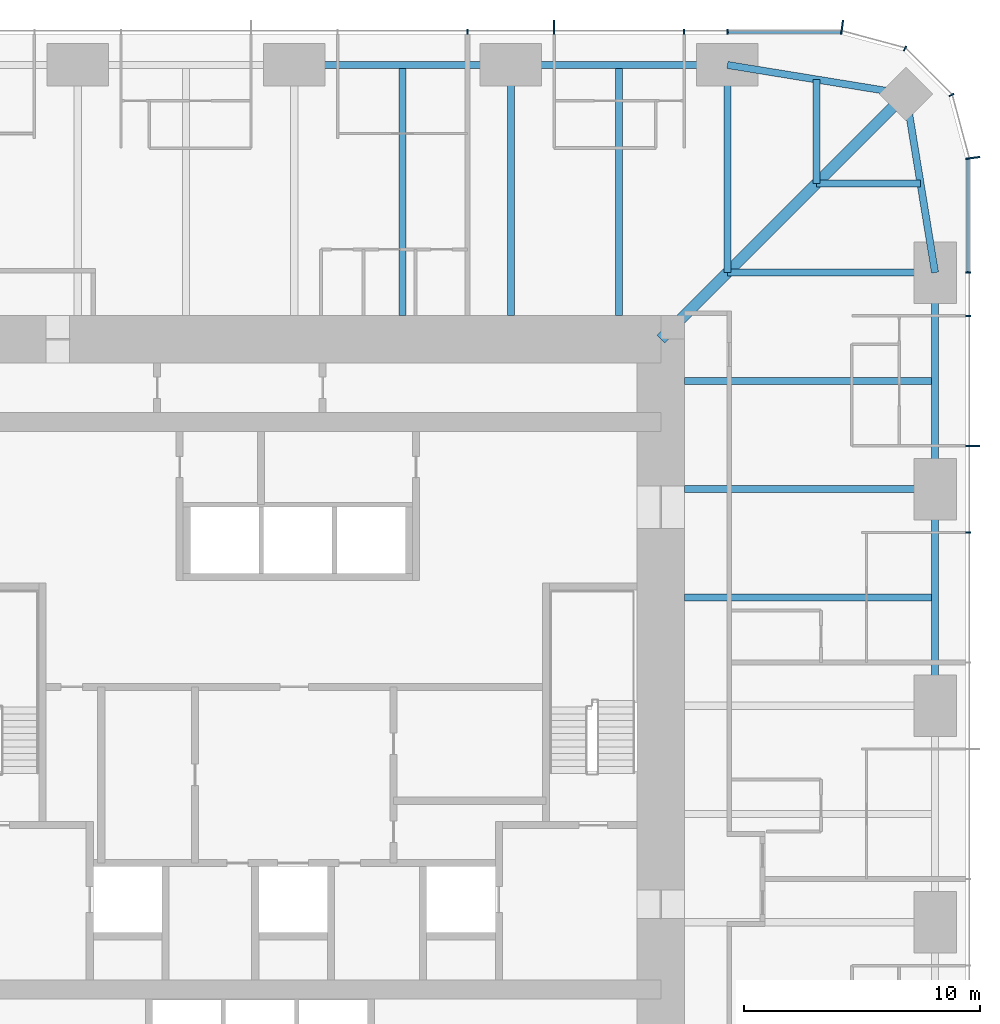
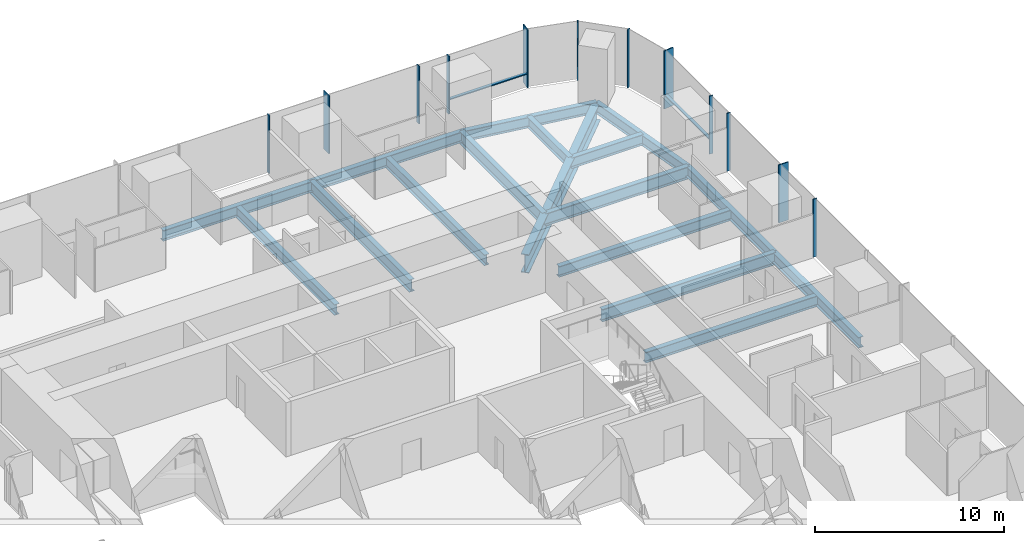
# One storey, part 6 of 13: 17 beams, 14 members, 3 elements without a shape of their own.
"""IFC4 building model written with IfcOpenShell, lengths in metres."""

from ifc_helpers import new_model, si_unit, direction, frame, origin, origin_2d, place, context, subcontext, project, spatial, rectangle, i_section, extrude, material, material_profile, profile_set, type_object, element, aggregate, save


model = new_model("IFC4")

# Units and contexts
model_context = context("Model", 3, precision=1e-05, world=origin(), true_north=direction((0.0, 1.0)))
body_context = subcontext(model_context, "Body", "Model", "MODEL_VIEW")
ifc_project = project(units=[si_unit("LENGTHUNIT", "METRE"), si_unit("AREAUNIT", "SQUARE_METRE"), si_unit("VOLUMEUNIT", "CUBIC_METRE"), si_unit("PLANEANGLEUNIT", "RADIAN"), si_unit("MASSUNIT", "GRAM", prefix="KILO")], contexts=[model_context])

# Site, building, storey
site_placement = place(None, origin())
site = spatial("IfcSite", under=ifc_project, at=site_placement, CompositionType="ELEMENT")
building_placement = place(site_placement, origin())
building = spatial("IfcBuilding", under=site, at=building_placement, Name="Khuree Lantern Residences", CompositionType="ELEMENT")
storey_placement = place(building_placement, frame((0.0, 0.0, 159.75)))
storey = spatial("IfcBuildingStorey", under=building, at=storey_placement, Name="L40", CompositionType="ELEMENT", Elevation=159.75)

# Beams
ifc_material_1 = material(Name="Steel S355", Category="steel")
ifc_material_profile_1 = material_profile(ifc_material_1, i_section(OverallWidth=0.300048828125, OverallDepth=0.68994140625, WebThickness=0.014404296875, FlangeThickness=0.027099609375, FilletRadius=0.027099609375, at=origin_2d()), Name="HE 700 A")
ifc_profile_set_1 = profile_set([ifc_material_profile_1], Name="Steel S355")
beam_type_1 = type_object("IfcBeamType", Name="B-24 SECONDARY BEAM HE 700 A", PredefinedType="BEAM", material=ifc_profile_set_1)
for number, where, z_axis, x_axis, name in (
    (1, (4.580078125, 27.10009765625, -0.594970703125), (0.0, -1.0, 0.0), (1.0, 0.0, 0.0), "Secondary beam N3"),
    (2, (13.739990234375, 27.10009765625, -0.594970703125), (0.0, -1.0, 0.0), (1.0, 0.0, 0.0), "Secondary beam N4"),
):
    element("IfcBeam", number, at=place(storey_placement, frame(where, z_axis=z_axis, x_axis=x_axis)), inside=storey, type_object=beam_type_1, Name=name, PredefinedType="BEAM", context=body_context, shape_type="SweptSolid", body=[
        extrude(i_section(OverallWidth=0.300048828125, OverallDepth=0.68994140625, WebThickness=0.014404296875, FlangeThickness=0.027099609375, FilletRadius=0.027099609375, at=origin_2d()), origin(), (0.0, 0.0, 1.0), 10.60009765625),
    ])
for number, where, z_axis, x_axis, name in (
    (3, (22.094970703125, 26.48486328125, -0.594970703125), (0.0, -1.0, 0.0), (1.0, 0.0, 0.0), "Secondary beam N5"),
    (4, (26.48486328125, 22.094970703125, -0.594970703125), (-1.0, 0.0, 0.0), (0.0, -1.0, 0.0), "Secondary beam E1"),
):
    element("IfcBeam", number, at=place(storey_placement, frame(where, z_axis=z_axis, x_axis=x_axis)), inside=storey, type_object=beam_type_1, Name=name, PredefinedType="BEAM", context=body_context, shape_type="SweptSolid", body=[
        extrude(i_section(OverallWidth=0.300048828125, OverallDepth=0.68994140625, WebThickness=0.014404296875, FlangeThickness=0.027099609375, FilletRadius=0.027099609375, at=origin_2d()), origin(), (0.0, 0.0, 1.0), 4.389892578125),
    ])
for number, where, z_axis, x_axis, name in (
    (5, (27.10009765625, 13.739990234375, -0.594970703125), (-1.0, 0.0, 0.0), (0.0, -1.0, 0.0), "Secondary beam E2"),
    (6, (27.10009765625, 4.580078125, -0.594970703125), (-1.0, 0.0, 0.0), (0.0, -1.0, 0.0), "Secondary beam E3"),
):
    element("IfcBeam", number, at=place(storey_placement, frame(where, z_axis=z_axis, x_axis=x_axis)), inside=storey, type_object=beam_type_1, Name=name, PredefinedType="BEAM", context=body_context, shape_type="SweptSolid", body=[
        extrude(i_section(OverallWidth=0.300048828125, OverallDepth=0.68994140625, WebThickness=0.014404296875, FlangeThickness=0.027099609375, FilletRadius=0.027099609375, at=origin_2d()), origin(), (0.0, 0.0, 1.0), 10.60009765625),
    ])
ifc_material_profile_2 = material_profile(ifc_material_1, i_section(OverallWidth=0.300048828125, OverallDepth=0.68994140625, WebThickness=0.014404296875, FlangeThickness=0.027099609375, FilletRadius=0.027099609375, at=origin_2d()), Name="HE 700 A")
ifc_profile_set_2 = profile_set([ifc_material_profile_2], Name="Steel S355")
beam_type_2 = type_object("IfcBeamType", Name="E-24 SPANDREL BEAM HE 700 A", PredefinedType="SPANDREL", material=ifc_profile_set_2)
beam_1_placement = place(storey_placement, frame((0.0, 27.10009765625, -0.594970703125), z_axis=(1.0, 0.0, 0.0), x_axis=(0.0, 1.0, 0.0)))
element("IfcBeam", 7, at=beam_1_placement, inside=storey, type_object=beam_type_2, Name="Spandrel beam N3", PredefinedType="SPANDREL", context=body_context, shape_type="SweptSolid", body=[
    extrude(i_section(OverallWidth=0.300048828125, OverallDepth=0.68994140625, WebThickness=0.014404296875, FlangeThickness=0.027099609375, FilletRadius=0.027099609375, at=origin_2d()), origin(), (0.0, 0.0, 1.0), 9.159912109375),
])
beam_2_placement = place(storey_placement, frame((9.159912109375, 27.10009765625, -0.594970703125), z_axis=(1.0, 0.0, 0.0), x_axis=(0.0, 1.0, 0.0)))
element("IfcBeam", 8, at=beam_2_placement, inside=storey, type_object=beam_type_2, Name="Spandrel beam N4", PredefinedType="SPANDREL", context=body_context, shape_type="SweptSolid", body=[
    extrude(i_section(OverallWidth=0.300048828125, OverallDepth=0.68994140625, WebThickness=0.014404296875, FlangeThickness=0.027099609375, FilletRadius=0.027099609375, at=origin_2d()), origin(), (0.0, 0.0, 1.0), 9.16015625),
])
for number, where, z_axis, x_axis, name in (
    (9, (18.320068359375, 27.10009765625, -0.594970703125), (0.986982656839, -0.160826723833, 0.0), (0.160826723833, 0.986982656839, 0.0), "Spandrel beam N5"),
    (10, (25.869873046875, 25.869873046875, -0.594970703125), (0.160826723833, -0.986982656839, 0.0), (0.986982656839, 0.160826723833, 0.0), "Spandrel beam E1"),
):
    element("IfcBeam", number, at=place(storey_placement, frame(where, z_axis=z_axis, x_axis=x_axis)), inside=storey, type_object=beam_type_2, Name=name, PredefinedType="SPANDREL", context=body_context, shape_type="SweptSolid", body=[
        extrude(i_section(OverallWidth=0.300048828125, OverallDepth=0.68994140625, WebThickness=0.014404296875, FlangeThickness=0.027099609375, FilletRadius=0.027099609375, at=origin_2d()), origin(), (0.0, 0.0, 1.0), 7.6494140625),
    ])
beam_3_placement = place(storey_placement, frame((27.10009765625, 18.320068359375, -0.594970703125), z_axis=(0.0, -1.0, 0.0), x_axis=(1.0, 0.0, 0.0)))
element("IfcBeam", 11, at=beam_3_placement, inside=storey, type_object=beam_type_2, Name="Spandrel beam E2", PredefinedType="SPANDREL", context=body_context, shape_type="SweptSolid", body=[
    extrude(i_section(OverallWidth=0.300048828125, OverallDepth=0.68994140625, WebThickness=0.014404296875, FlangeThickness=0.027099609375, FilletRadius=0.027099609375, at=origin_2d()), origin(), (0.0, 0.0, 1.0), 9.16015625),
])
beam_4_placement = place(storey_placement, frame((27.10009765625, 9.159912109375, -0.594970703125), z_axis=(0.0, -1.0, 0.0), x_axis=(1.0, 0.0, 0.0)))
element("IfcBeam", 12, at=beam_4_placement, inside=storey, type_object=beam_type_2, Name="Spandrel beam E3", PredefinedType="SPANDREL", context=body_context, shape_type="SweptSolid", body=[
    extrude(i_section(OverallWidth=0.300048828125, OverallDepth=0.68994140625, WebThickness=0.014404296875, FlangeThickness=0.027099609375, FilletRadius=0.027099609375, at=origin_2d()), origin(), (0.0, 0.0, 1.0), 9.159912109375),
])

# Curtain wall, member
ifc_material_2 = material(Name="Bronze anodised aluminium", Category="aluminium")
curtain_wall_type_1 = type_object("IfcCurtainWallType", Name="CW-T1 TOWER FACE CURTAIN WALL", PredefinedType="USERDEFINED", material=ifc_material_2)
curtain_wall_1_placement = place(storey_placement, origin())
curtain_wall_1 = element("IfcCurtainWall", 13, at=curtain_wall_1_placement, inside=storey, type_object=curtain_wall_type_1, Name="L40 EAST FACE CURTAIN WALL", ObjectType="Stick-built curtain wall", PredefinedType="USERDEFINED")
ifc_material_profile_3 = material_profile(ifc_material_2, rectangle(XDim=0.06494140625, YDim=0.60009765625, at=origin_2d()), Name="F1 65X600")
ifc_profile_set_3 = profile_set([ifc_material_profile_3], Name="Bronze anodised aluminium")
member_type_1 = type_object("IfcMemberType", Name="F1 BRONZE FIN MULLION TOWER 65X600", PredefinedType="MULLION", material=ifc_profile_set_3)
member_1_placement = place(storey_placement, frame((28.699951171875, 10.991943359375, 0.0), z_axis=(0.0, 0.0, 1.0), x_axis=(0.0, 1.0, 0.0)))
member_1 = element("IfcMember", 14, at=member_1_placement, type_object=member_type_1, Name="L40 EAST FACE FIN MULLION 12", PredefinedType="MULLION", context=body_context, shape_type="SweptSolid", body=[
    extrude(rectangle(XDim=0.06494140625, YDim=0.60009765625, at=origin_2d()), origin(), (0.0, 0.0, 1.0), 3.75),
])

curtain_wall_type_2 = type_object("IfcCurtainWallType", Name="CW-T2 TOWER CORNER CURTAIN WALL", PredefinedType="USERDEFINED", material=ifc_material_2)
curtain_wall_2_placement = place(storey_placement, origin())
curtain_wall_2 = element("IfcCurtainWall", 15, at=curtain_wall_2_placement, inside=storey, type_object=curtain_wall_type_2, Name="L40 NORTH-EAST CORNER CURTAIN WALL", ObjectType="Faceted corner curtain wall", PredefinedType="USERDEFINED")
member_2_placement = place(storey_placement, frame((28.7001953125, 23.169677734375, 0.0), z_axis=(0.0, 0.0, 1.0), x_axis=(-0.130526223125, 0.991444857305, 0.0)))
member_2 = element("IfcMember", 16, at=member_2_placement, type_object=member_type_1, Name="L40 NORTH-EAST CORNER FIN MULLION 15", PredefinedType="MULLION", context=body_context, shape_type="SweptSolid", body=[
    extrude(rectangle(XDim=0.06494140625, YDim=0.60009765625, at=origin_2d()), origin(), (0.0, 0.0, 1.0), 3.75),
])

# Curtain wall, members
curtain_wall_3_placement = place(storey_placement, origin())
curtain_wall_3 = element("IfcCurtainWall", 17, at=curtain_wall_3_placement, inside=storey, type_object=curtain_wall_type_1, Name="L40 NORTH FACE CURTAIN WALL", ObjectType="Stick-built curtain wall", PredefinedType="USERDEFINED")
member_3_placement = place(storey_placement, frame((23.169677734375, 28.7001953125, 0.0), z_axis=(0.0, 0.0, 1.0), x_axis=(-0.991444857305, 0.130526223125, 0.0)))
member_3 = element("IfcMember", 18, at=member_3_placement, type_object=member_type_1, Name="L40 NORTH FACE FIN MULLION 18", PredefinedType="MULLION", context=body_context, shape_type="SweptSolid", body=[
    extrude(rectangle(XDim=0.06494140625, YDim=0.60009765625, at=origin_2d()), origin(), (0.0, 0.0, 1.0), 3.75),
])
member_4_placement = place(storey_placement, frame((10.991943359375, 28.699951171875, 0.0), z_axis=(0.0, 0.0, 1.0), x_axis=(-1.0, 0.0, 0.0)))
member_4 = element("IfcMember", 19, at=member_4_placement, type_object=member_type_1, Name="L40 NORTH FACE FIN MULLION 21", PredefinedType="MULLION", context=body_context, shape_type="SweptSolid", body=[
    extrude(rectangle(XDim=0.06494140625, YDim=0.60009765625, at=origin_2d()), origin(), (0.0, 0.0, 1.0), 3.75),
])

# Beams
ifc_material_profile_4 = material_profile(ifc_material_1, i_section(OverallWidth=0.300048828125, OverallDepth=0.800048828125, WebThickness=0.017578125, FlangeThickness=0.032958984375, FilletRadius=0.030029296875, at=origin_2d()), Name="HE 800 B")
ifc_profile_set_4 = profile_set([ifc_material_profile_4], Name="Steel S355")
beam_type_3 = type_object("IfcBeamType", Name="G-24 GIRDER HE 800 B", PredefinedType="BEAM", material=ifc_profile_set_4)
beam_5_placement = place(storey_placement, frame((9.159912109375, 27.10009765625, -0.64990234375), z_axis=(0.0, -1.0, 0.0), x_axis=(1.0, 0.0, 0.0)))
element("IfcBeam", 20, at=beam_5_placement, inside=storey, type_object=beam_type_3, Name="Girder N4", PredefinedType="BEAM", context=body_context, shape_type="SweptSolid", body=[
    extrude(i_section(OverallWidth=0.300048828125, OverallDepth=0.800048828125, WebThickness=0.017578125, FlangeThickness=0.032958984375, FilletRadius=0.030029296875, at=origin_2d()), origin(), (0.0, 0.0, 1.0), 10.60009765625),
])
for number, where, z_axis, x_axis, name in (
    (21, (18.320068359375, 27.10009765625, -0.64990234375), (0.0, -1.0, 0.0), (1.0, 0.0, 0.0), "Girder N5"),
    (22, (27.10009765625, 18.320068359375, -0.64990234375), (-1.0, 0.0, 0.0), (0.0, -1.0, 0.0), "Girder E1"),
):
    element("IfcBeam", number, at=place(storey_placement, frame(where, z_axis=z_axis, x_axis=x_axis)), inside=storey, type_object=beam_type_3, Name=name, PredefinedType="BEAM", context=body_context, shape_type="SweptSolid", body=[
        extrude(i_section(OverallWidth=0.300048828125, OverallDepth=0.800048828125, WebThickness=0.017578125, FlangeThickness=0.032958984375, FilletRadius=0.030029296875, at=origin_2d()), origin(), (0.0, 0.0, 1.0), 8.780029296875),
    ])
beam_6_placement = place(storey_placement, frame((27.10009765625, 9.159912109375, -0.64990234375), z_axis=(-1.0, 0.0, 0.0), x_axis=(0.0, -1.0, 0.0)))
element("IfcBeam", 23, at=beam_6_placement, inside=storey, type_object=beam_type_3, Name="Girder E2", PredefinedType="BEAM", context=body_context, shape_type="SweptSolid", body=[
    extrude(i_section(OverallWidth=0.300048828125, OverallDepth=0.800048828125, WebThickness=0.017578125, FlangeThickness=0.032958984375, FilletRadius=0.030029296875, at=origin_2d()), origin(), (0.0, 0.0, 1.0), 10.60009765625),
])
ifc_material_profile_5 = material_profile(ifc_material_1, i_section(OverallWidth=0.449951171875, OverallDepth=1.199951171875, WebThickness=0.02490234375, FlangeThickness=0.044921875, at=origin_2d()), Name="WELDED I 1200X450X25X45")
ifc_profile_set_5 = profile_set([ifc_material_profile_5], Name="Steel S355")
beam_type_4 = type_object("IfcBeamType", Name="GD-24 CORNER GIRDER WELDED I 1200X450X25X45", PredefinedType="BEAM", material=ifc_profile_set_5)
beam_7_placement = place(storey_placement, frame((25.869873046875, 25.869873046875, -0.85009765625), z_axis=(-0.707106781187, -0.707106781187, 0.0), x_axis=(0.707106781187, -0.707106781187, 0.0)))
element("IfcBeam", 24, at=beam_7_placement, inside=storey, type_object=beam_type_4, Name="Corner girder NE", PredefinedType="BEAM", context=body_context, shape_type="SweptSolid", body=[
    extrude(i_section(OverallWidth=0.449951171875, OverallDepth=1.199951171875, WebThickness=0.02490234375, FlangeThickness=0.044921875, at=origin_2d()), origin(), (0.0, 0.0, 1.0), 14.665283203125),
])

# Member
ifc_material_profile_6 = material_profile(ifc_material_2, rectangle(XDim=0.06494140625, YDim=0.219970703125, at=origin_2d()), Name="M1 65X220")
ifc_profile_set_6 = profile_set([ifc_material_profile_6], Name="Bronze anodised aluminium")
member_type_2 = type_object("IfcMemberType", Name="M1 BRONZE MULLION TOWER 65X220", PredefinedType="MULLION", material=ifc_profile_set_6)
member_5_placement = place(storey_placement, frame((28.510009765625, 7.327880859375, 0.0), z_axis=(0.0, 0.0, 1.0), x_axis=(0.0, 1.0, 0.0)))
member_5 = element("IfcMember", 25, at=member_5_placement, type_object=member_type_2, Name="L40 EAST FACE MULLION 11", PredefinedType="MULLION", context=body_context, shape_type="SweptSolid", body=[
    extrude(rectangle(XDim=0.06494140625, YDim=0.219970703125, at=origin_2d()), origin(), (0.0, 0.0, 1.0), 3.75),
])

member_6_placement = place(storey_placement, frame((28.510009765625, 16.488037109375, 0.0), z_axis=(0.0, 0.0, 1.0), x_axis=(0.0, 1.0, 0.0)))
member_6 = element("IfcMember", 26, at=member_6_placement, type_object=member_type_2, Name="L40 EAST FACE MULLION 13", PredefinedType="MULLION", context=body_context, shape_type="SweptSolid", body=[
    extrude(rectangle(XDim=0.06494140625, YDim=0.219970703125, at=origin_2d()), origin(), (0.0, 0.0, 1.0), 3.75),
])

member_7_placement = place(storey_placement, frame((28.510009765625, 18.320068359375, 0.0), z_axis=(0.0, 0.0, 1.0), x_axis=(0.0, 1.0, 0.0)))
member_7 = element("IfcMember", 27, at=member_7_placement, type_object=member_type_2, Name="L40 EAST FACE MULLION 14", PredefinedType="MULLION", context=body_context, shape_type="SweptSolid", body=[
    extrude(rectangle(XDim=0.06494140625, YDim=0.219970703125, at=origin_2d()), origin(), (0.0, 0.0, 1.0), 3.75),
])

member_8_placement = place(storey_placement, frame((27.7919921875, 25.830078125, 0.0), z_axis=(0.0, 0.0, 1.0), x_axis=(-0.500000026995, 0.866025388199, 0.0)))
member_8 = element("IfcMember", 28, at=member_8_placement, type_object=member_type_2, Name="L40 NORTH-EAST CORNER MULLION 16", PredefinedType="MULLION", context=body_context, shape_type="SweptSolid", body=[
    extrude(rectangle(XDim=0.06494140625, YDim=0.219970703125, at=origin_2d()), origin(), (0.0, 0.0, 1.0), 3.75),
])

member_9_placement = place(storey_placement, frame((25.830078125, 27.7919921875, 0.0), z_axis=(0.0, 0.0, 1.0), x_axis=(-0.866025388199, 0.500000026995, 0.0)))
member_9 = element("IfcMember", 29, at=member_9_placement, type_object=member_type_2, Name="L40 NORTH-EAST CORNER MULLION 17", PredefinedType="MULLION", context=body_context, shape_type="SweptSolid", body=[
    extrude(rectangle(XDim=0.06494140625, YDim=0.219970703125, at=origin_2d()), origin(), (0.0, 0.0, 1.0), 3.75),
])

aggregate(curtain_wall_2, [member_2, member_8, member_9])

member_10_placement = place(storey_placement, frame((18.320068359375, 28.510009765625, 0.0), z_axis=(0.0, 0.0, 1.0), x_axis=(-1.0, 0.0, 0.0)))
member_10 = element("IfcMember", 30, at=member_10_placement, type_object=member_type_2, Name="L40 NORTH FACE MULLION 19", PredefinedType="MULLION", context=body_context, shape_type="SweptSolid", body=[
    extrude(rectangle(XDim=0.06494140625, YDim=0.219970703125, at=origin_2d()), origin(), (0.0, 0.0, 1.0), 3.75),
])

member_11_placement = place(storey_placement, frame((16.488037109375, 28.510009765625, 0.0), z_axis=(0.0, 0.0, 1.0), x_axis=(-1.0, 0.0, 0.0)))
member_11 = element("IfcMember", 31, at=member_11_placement, type_object=member_type_2, Name="L40 NORTH FACE MULLION 20", PredefinedType="MULLION", context=body_context, shape_type="SweptSolid", body=[
    extrude(rectangle(XDim=0.06494140625, YDim=0.219970703125, at=origin_2d()), origin(), (0.0, 0.0, 1.0), 3.75),
])

member_12_placement = place(storey_placement, frame((7.327880859375, 28.510009765625, 0.0), z_axis=(0.0, 0.0, 1.0), x_axis=(-1.0, 0.0, 0.0)))
member_12 = element("IfcMember", 32, at=member_12_placement, type_object=member_type_2, Name="L40 NORTH FACE MULLION 22", PredefinedType="MULLION", context=body_context, shape_type="SweptSolid", body=[
    extrude(rectangle(XDim=0.06494140625, YDim=0.219970703125, at=origin_2d()), origin(), (0.0, 0.0, 1.0), 3.75),
])

ifc_material_profile_7 = material_profile(ifc_material_2, rectangle(XDim=0.179931640625, YDim=0.06494140625, at=origin_2d()), Name="T1 180X65")
ifc_profile_set_7 = profile_set([ifc_material_profile_7], Name="Bronze anodised aluminium")
member_type_3 = type_object("IfcMemberType", Name="TRANSOM T1 TOWER 180X65", PredefinedType="USERDEFINED", material=ifc_profile_set_7)
member_13_placement = place(storey_placement, frame((28.52001953125, 18.3525390625, 0.89990234375), z_axis=(0.0, 1.0, 0.0), x_axis=(-1.0, 0.0, 0.0)))
member_13 = element("IfcMember", 33, at=member_13_placement, type_object=member_type_3, Name="L40 EAST FACE TRANSOM 14.1", ObjectType="Transom", PredefinedType="USERDEFINED", context=body_context, shape_type="SweptSolid", body=[
    extrude(rectangle(XDim=0.179931640625, YDim=0.06494140625, at=origin_2d()), origin(), (0.0, 0.0, 1.0), 4.748779296875),
])

aggregate(curtain_wall_1, [member_5, member_1, member_6, member_7, member_13])

member_14_placement = place(storey_placement, frame((23.101318359375, 28.52001953125, 0.89990234375), z_axis=(-1.0, 0.0, 0.0), x_axis=(0.0, -1.0, 0.0)))
member_14 = element("IfcMember", 34, at=member_14_placement, type_object=member_type_3, Name="L40 NORTH FACE TRANSOM 18.1", ObjectType="Transom", PredefinedType="USERDEFINED", context=body_context, shape_type="SweptSolid", body=[
    extrude(rectangle(XDim=0.179931640625, YDim=0.06494140625, at=origin_2d()), origin(), (0.0, 0.0, 1.0), 4.748779296875),
])

aggregate(curtain_wall_3, [member_3, member_10, member_11, member_4, member_12, member_14])

save(model, "model.ifc")
